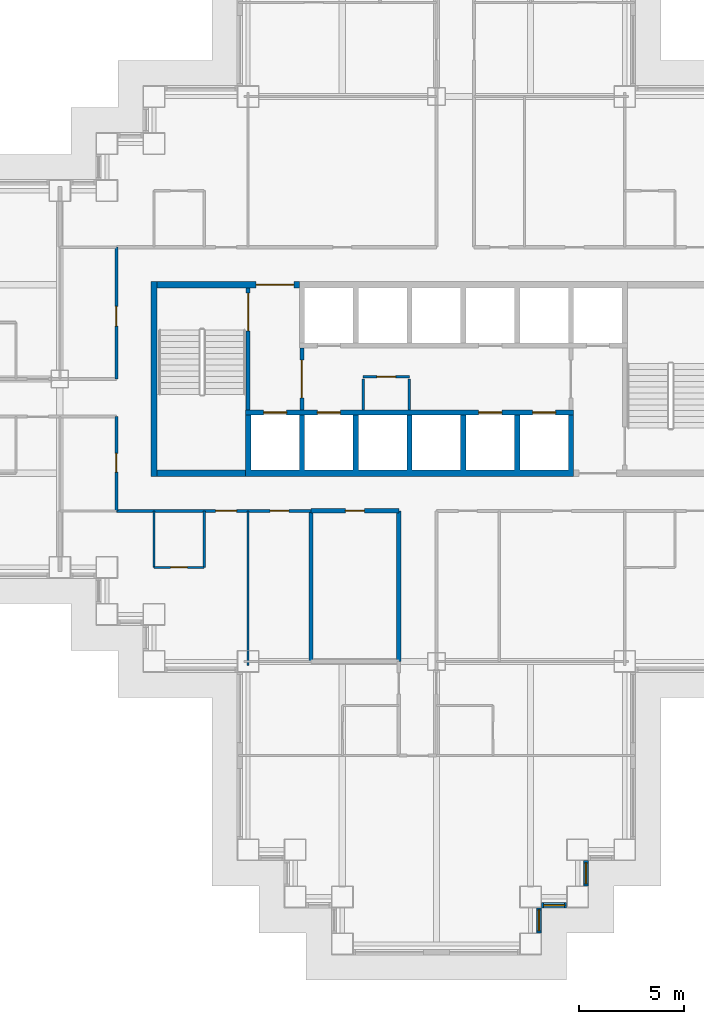
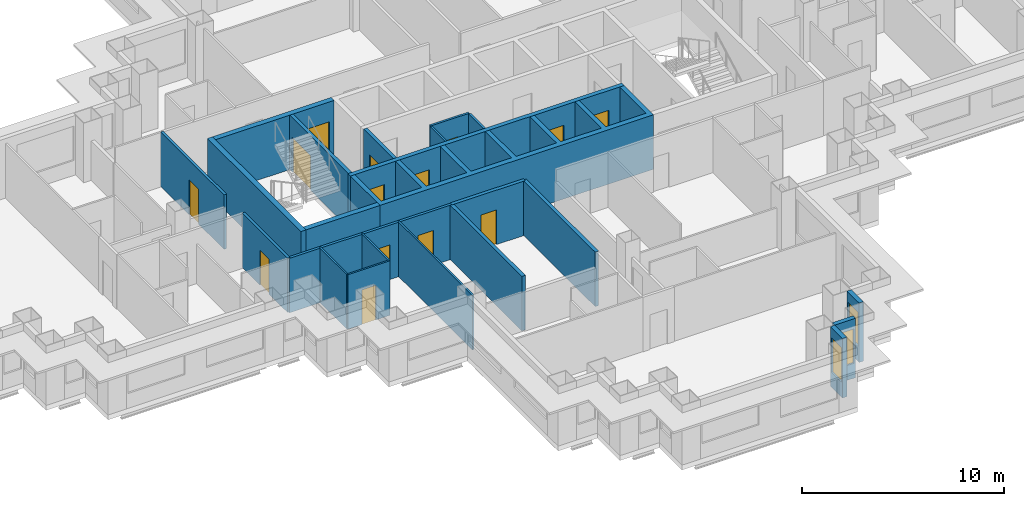
# One storey, part 4 of 14: 23 walls, 14 doors, 3 windows, 17 openings.
"""IFC4 building model written with IfcOpenShell, lengths in metres."""

from ifc_helpers import new_model, si_unit, direction, frame, frame_2d, origin, place, context, subcontext, project, spatial, polyline, rectangle, outline, extrude, material, layer, layer_set, type_object, element, fill, save


model = new_model("IFC4")

# Units and contexts
model_context = context("Model", 3, precision=1e-05, world=origin(), true_north=direction((0.0, 1.0)))
body_context = subcontext(model_context, "Body", "Model", "MODEL_VIEW")
ifc_project = project(units=[si_unit("LENGTHUNIT", "METRE"), si_unit("AREAUNIT", "SQUARE_METRE"), si_unit("VOLUMEUNIT", "CUBIC_METRE"), si_unit("PLANEANGLEUNIT", "RADIAN"), si_unit("MASSUNIT", "GRAM", prefix="KILO")], contexts=[model_context])

# Site, building, storey
site_placement = place(None, origin())
site = spatial("IfcSite", under=ifc_project, at=site_placement, CompositionType="ELEMENT")
building_placement = place(site_placement, origin())
building = spatial("IfcBuilding", under=site, at=building_placement, Name="Caravel Reach Hotel and Residences", CompositionType="ELEMENT")
storey_placement = place(building_placement, frame((0.0, 0.0, 40.800048828125)))
storey = spatial("IfcBuildingStorey", under=building, at=storey_placement, Name="L08", CompositionType="ELEMENT", Elevation=40.800048828125)

# Wall, opening, door
ifc_material_1 = material(Name="Gypsum board on steel stud", Category="steel")
ifc_layer_1 = layer(ifc_material_1, 0.10009765625)
ifc_layer_set_1 = layer_set([ifc_layer_1], Name="Bathroom pod wall 100 mm")
wall_type_1 = type_object("IfcWallType", Name="Bathroom pod wall 100 mm", PredefinedType="PARTITIONING", material=ifc_layer_set_1)
wall_1_placement = place(storey_placement, frame((18.0, 18.0, 0.0), z_axis=(0.0, 0.0, 1.0), x_axis=(1.0, 0.0, 0.0)))
wall_1 = element("IfcWall", 1, at=wall_1_placement, inside=storey, type_object=wall_type_1, Name="L08 wall w076", PredefinedType="PARTITIONING", context=body_context, shape_type="SweptSolid", body=[
    extrude(rectangle(XDim=2.39990234375, YDim=0.10009765625, at=frame_2d((1.199951171875, 0.0))), origin(), (0.0, 0.0, 1.0), 3.300048828125),
])
opening_1_placement = place(wall_1_placement, frame((0.800048828125, 0.0, 0.0)))
opening_1 = element("IfcOpeningElement", 2, at=opening_1_placement, cuts=wall_1, Name="Opening D08-046", PredefinedType="OPENING", context=body_context, shape_type="SweptSolid", body=[
    extrude(rectangle(XDim=0.800048828125, YDim=2.10009765625, at=frame_2d((0.39990234375, 1.050048828125))), frame((0.0, 0.06005859375, 0.0), z_axis=(0.0, -1.0, 0.0), x_axis=(1.0, 0.0, 0.0)), (0.0, 0.0, 1.0), 0.1201171875),
])
ifc_material_2 = material(Name="Timber and steel door leaf", Category="steel")
door_type_1 = type_object("IfcDoorType", Name="Bathroom door 800 x 2100", OperationType="SINGLE_SWING_LEFT", PredefinedType="DOOR", material=ifc_material_2)
door_1_placement = place(opening_1_placement, origin())
door_1 = element("IfcDoor", 3, at=door_1_placement, inside=storey, type_object=door_type_1, Name="door D08-046", OperationType="SINGLE_SWING_RIGHT", OverallHeight=2.10009765625, OverallWidth=0.800048828125, PredefinedType="DOOR", context=body_context, shape_type="SweptSolid", body=[
    extrude(rectangle(XDim=0.800048828125, YDim=2.10009765625, at=frame_2d((0.39990234375, 1.050048828125))), frame((0.0, 0.02490234375, 0.0), z_axis=(0.0, -1.0, 0.0), x_axis=(1.0, 0.0, 0.0)), (0.0, 0.0, 1.0), 0.050048828125),
])
fill(opening_1, door_1)

# Walls
for number, where, z_axis, x_axis, name in (
    (4, (18.0, 18.0, 0.0), (0.0, 0.0, 1.0), (0.0, 1.0, 0.0), "L08 wall w092"),
    (5, (20.39990234375, 18.0, 0.0), (0.0, 0.0, 1.0), (0.0, 1.0, 0.0), "L08 wall w094"),
):
    element("IfcWall", number, at=place(storey_placement, frame(where, z_axis=z_axis, x_axis=x_axis)), inside=storey, type_object=wall_type_1, Name=name, PredefinedType="PARTITIONING", context=body_context, shape_type="SweptSolid", body=[
        extrude(rectangle(XDim=2.699951171875, YDim=0.10009765625, at=frame_2d((1.35009765625, 0.0))), origin(), (0.0, 0.0, 1.0), 3.300048828125),
    ])

# Wall, opening, door
ifc_material_3 = material(Name="Autoclaved aerated block wall")
ifc_layer_2 = layer(ifc_material_3, 0.199951171875)
ifc_layer_set_2 = layer_set([ifc_layer_2], Name="Compartment wall 200 mm EI 120")
wall_type_2 = type_object("IfcWallType", Name="Compartment wall 200 mm EI 120", PredefinedType="PARTITIONING", material=ifc_layer_set_2)
wall_2_placement = place(storey_placement, frame((25.5, 20.699951171875, 0.0), z_axis=(0.0, 0.0, 1.0), x_axis=(1.0, 0.0, 0.0)))
wall_2 = element("IfcWall", 6, at=wall_2_placement, inside=storey, type_object=wall_type_2, Name="L08 wall w106", PredefinedType="PARTITIONING", context=body_context, shape_type="SweptSolid", body=[
    extrude(rectangle(XDim=4.199951171875, YDim=0.199951171875, at=frame_2d((2.10009765625, 0.0))), origin(), (0.0, 0.0, 1.0), 3.300048828125),
])
opening_2_placement = place(wall_2_placement, frame((1.64990234375, 0.0, 0.0)))
opening_2 = element("IfcOpeningElement", 7, at=opening_2_placement, cuts=wall_2, Name="Opening D08-053", PredefinedType="OPENING", context=body_context, shape_type="SweptSolid", body=[
    extrude(rectangle(XDim=0.89990234375, YDim=2.10009765625, at=frame_2d((0.449951171875, 1.050048828125))), frame((0.0, 0.10986328125, 0.0), z_axis=(0.0, -1.0, 0.0), x_axis=(1.0, 0.0, 0.0)), (0.0, 0.0, 1.0), 0.219970703125),
])
ifc_material_4 = material(Name="Steel fire door leaf", Category="steel")
door_type_2 = type_object("IfcDoorType", Name="Riser door 900 x 2100 EI 60", OperationType="SINGLE_SWING_LEFT", PredefinedType="DOOR", material=ifc_material_4)
door_2_placement = place(opening_2_placement, origin())
door_2 = element("IfcDoor", 8, at=door_2_placement, inside=storey, type_object=door_type_2, Name="door D08-053", OperationType="SINGLE_SWING_RIGHT", OverallHeight=2.10009765625, OverallWidth=0.89990234375, PredefinedType="DOOR", context=body_context, shape_type="SweptSolid", body=[
    extrude(rectangle(XDim=0.89990234375, YDim=2.10009765625, at=frame_2d((0.449951171875, 1.050048828125))), frame((0.0, 0.02490234375, 0.0), z_axis=(0.0, -1.0, 0.0), x_axis=(1.0, 0.0, 0.0)), (0.0, 0.0, 1.0), 0.050048828125),
])
fill(opening_2, door_2)

# Walls
for number, where, z_axis, x_axis, name in (
    (9, (25.5, 13.5, 0.0), (0.0, 0.0, 1.0), (0.0, 1.0, 0.0), "L08 wall w107"),
    (10, (29.699951171875, 13.5, 0.0), (0.0, 0.0, 1.0), (0.0, 1.0, 0.0), "L08 wall w108"),
):
    element("IfcWall", number, at=place(storey_placement, frame(where, z_axis=z_axis, x_axis=x_axis)), inside=storey, type_object=wall_type_2, Name=name, PredefinedType="PARTITIONING", context=body_context, shape_type="SweptSolid", body=[
        extrude(rectangle(XDim=7.199951171875, YDim=0.199951171875, at=frame_2d((3.60009765625, 0.0))), origin(), (0.0, 0.0, 1.0), 3.300048828125),
    ])
ifc_material_5 = material(Name="Concrete C60", Category="concrete")
ifc_layer_3 = layer(ifc_material_5, 0.300048828125)
ifc_layer_set_3 = layer_set([ifc_layer_3], Name="Core wall 300 mm EI 120")
wall_type_3 = type_object("IfcWallType", Name="Core wall 300 mm EI 120", PredefinedType="SHEAR", material=ifc_layer_set_3)
wall_3_placement = place(storey_placement, frame((18.14990234375, 22.5, 0.0), z_axis=(0.0, 0.0, 1.0), x_axis=(1.0, 0.0, 0.0)))
element("IfcWall", 11, at=wall_3_placement, inside=storey, type_object=wall_type_3, Name="L08 core wall S1", PredefinedType="SHEAR", context=body_context, shape_type="SweptSolid", body=[
    extrude(rectangle(XDim=4.22509765625, YDim=0.300048828125, at=frame_2d((2.112548828125, 0.0))), origin(), (0.0, 0.0, 1.0), 3.300048828125),
])

# Wall, opening, door
wall_4_placement = place(storey_placement, frame((18.14990234375, 31.5, 0.0), z_axis=(0.0, 0.0, 1.0), x_axis=(1.0, 0.0, 0.0)))
wall_4 = element("IfcWall", 12, at=wall_4_placement, inside=storey, type_object=wall_type_3, Name="L08 core wall N1", PredefinedType="SHEAR", context=body_context, shape_type="SweptSolid", body=[
    extrude(rectangle(XDim=6.796630859375, YDim=0.300048828125, at=frame_2d((3.3984375, 0.0))), origin(), (0.0, 0.0, 1.0), 3.300048828125),
])
opening_3_placement = place(wall_4_placement, frame((4.735595703125, 0.0, 0.0)))
opening_3 = element("IfcOpeningElement", 13, at=opening_3_placement, cuts=wall_4, Name="Opening D08-013", PredefinedType="OPENING", context=body_context, shape_type="SweptSolid", body=[
    extrude(rectangle(XDim=1.800048828125, YDim=2.10009765625, at=frame_2d((0.89990234375, 1.050048828125))), frame((0.0, 0.159912109375, 0.0), z_axis=(0.0, -1.0, 0.0), x_axis=(1.0, 0.0, 0.0)), (0.0, 0.0, 1.0), 0.320068359375),
])
ifc_material_6 = material(Name="Steel fire door leaf", Category="steel")
door_type_3 = type_object("IfcDoorType", Name="Fire lobby door pair 1800 x 2100 EI 90", OperationType="DOUBLE_DOOR_SINGLE_SWING", PredefinedType="DOOR", material=ifc_material_6)
door_3_placement = place(opening_3_placement, origin())
door_3 = element("IfcDoor", 14, at=door_3_placement, inside=storey, type_object=door_type_3, Name="lobby N door pair to corridor", OperationType="DOUBLE_DOOR_SINGLE_SWING", OverallHeight=2.10009765625, OverallWidth=1.800048828125, PredefinedType="DOOR", context=body_context, shape_type="SweptSolid", body=[
    extrude(rectangle(XDim=1.800048828125, YDim=2.10009765625, at=frame_2d((0.89990234375, 1.050048828125))), frame((0.0, 0.02490234375, 0.0), z_axis=(0.0, -1.0, 0.0), x_axis=(1.0, 0.0, 0.0)), (0.0, 0.0, 1.0), 0.050048828125),
])
fill(opening_3, door_3)

# Wall
wall_5_placement = place(storey_placement, frame((18.0, 22.35009765625, 0.0), z_axis=(0.0, 0.0, 1.0), x_axis=(0.0, 1.0, 0.0)))
element("IfcWall", 15, at=wall_5_placement, inside=storey, type_object=wall_type_3, Name="L08 core wall W", PredefinedType="SHEAR", context=body_context, shape_type="SweptSolid", body=[
    extrude(rectangle(XDim=9.2998046875, YDim=0.300048828125, at=frame_2d((4.64990234375, 0.0))), origin(), (0.0, 0.0, 1.0), 3.300048828125),
])

# Wall, openings, doors
ifc_material_7 = material(Name="Gypsum board on steel stud, fire-rated", Category="steel")
ifc_layer_4 = layer(ifc_material_7, 0.14990234375)
ifc_layer_set_4 = layer_set([ifc_layer_4], Name="Corridor wall 150 mm EI 60")
wall_type_4 = type_object("IfcWallType", Name="Corridor wall 150 mm EI 60", PredefinedType="PARTITIONING", material=ifc_layer_set_4)
wall_6_placement = place(storey_placement, frame((16.199951171875, 20.699951171875, 0.0), z_axis=(0.0, 0.0, 1.0), x_axis=(1.0, 0.0, 0.0)))
wall_6 = element("IfcWall", 16, at=wall_6_placement, inside=storey, type_object=wall_type_4, Name="L08 wall w001", PredefinedType="PARTITIONING", context=body_context, shape_type="SweptSolid", body=[
    extrude(rectangle(XDim=9.300048828125, YDim=0.14990234375, at=frame_2d((4.64990234375, 0.0))), origin(), (0.0, 0.0, 1.0), 3.300048828125),
])
opening_4_placement = place(wall_6_placement, frame((4.75, 0.0, 0.0)))
opening_4 = element("IfcOpeningElement", 17, at=opening_4_placement, cuts=wall_6, Name="Opening D08-045", PredefinedType="OPENING", context=body_context, shape_type="SweptSolid", body=[
    extrude(rectangle(XDim=1.0, YDim=2.10009765625, at=frame_2d((0.5, 1.050048828125))), frame((0.0, 0.0849609375, 0.0), z_axis=(0.0, -1.0, 0.0), x_axis=(1.0, 0.0, 0.0)), (0.0, 0.0, 1.0), 0.169921875),
])
opening_5_placement = place(wall_6_placement, frame((7.35009765625, 0.0, 0.0)))
opening_5 = element("IfcOpeningElement", 18, at=opening_5_placement, cuts=wall_6, Name="Opening D08-052", PredefinedType="OPENING", context=body_context, shape_type="SweptSolid", body=[
    extrude(rectangle(XDim=0.89990234375, YDim=2.10009765625, at=frame_2d((0.449951171875, 1.050048828125))), frame((0.0, 0.0849609375, 0.0), z_axis=(0.0, -1.0, 0.0), x_axis=(1.0, 0.0, 0.0)), (0.0, 0.0, 1.0), 0.169921875),
])
ifc_material_8 = material(Name="Timber and steel door leaf", Category="steel")
door_type_4 = type_object("IfcDoorType", Name="Door 900 x 2100 timber", OperationType="SINGLE_SWING_LEFT", PredefinedType="DOOR", material=ifc_material_8)
door_4_placement = place(opening_5_placement, origin())
door_4 = element("IfcDoor", 19, at=door_4_placement, inside=storey, type_object=door_type_4, Name="door D08-052", OperationType="SINGLE_SWING_LEFT", OverallHeight=2.10009765625, OverallWidth=0.89990234375, PredefinedType="DOOR", context=body_context, shape_type="SweptSolid", body=[
    extrude(rectangle(XDim=0.89990234375, YDim=2.10009765625, at=frame_2d((0.449951171875, 1.050048828125))), frame((0.0, 0.02490234375, 0.0), z_axis=(0.0, -1.0, 0.0), x_axis=(1.0, 0.0, 0.0)), (0.0, 0.0, 1.0), 0.050048828125),
])
fill(opening_5, door_4)
ifc_material_9 = material(Name="Steel fire door leaf", Category="steel")
door_type_5 = type_object("IfcDoorType", Name="Guest room door 1000 x 2100 EI 30", OperationType="SINGLE_SWING_LEFT", PredefinedType="DOOR", material=ifc_material_9)
door_5_placement = place(opening_4_placement, origin())
door_5 = element("IfcDoor", 20, at=door_5_placement, inside=storey, type_object=door_type_5, Name="door D08-045", OperationType="SINGLE_SWING_RIGHT", OverallHeight=2.10009765625, OverallWidth=1.0, PredefinedType="DOOR", context=body_context, shape_type="SweptSolid", body=[
    extrude(rectangle(XDim=1.0, YDim=2.10009765625, at=frame_2d((0.5, 1.050048828125))), frame((0.0, 0.02490234375, 0.0), z_axis=(0.0, -1.0, 0.0), x_axis=(1.0, 0.0, 0.0)), (0.0, 0.0, 1.0), 0.050048828125),
])
fill(opening_4, door_5)

# Wall, opening, door
wall_7_placement = place(storey_placement, frame((16.199951171875, 27.0, 0.0), z_axis=(0.0, 0.0, 1.0), x_axis=(0.0, 1.0, 0.0)))
wall_7 = element("IfcWall", 21, at=wall_7_placement, inside=storey, type_object=wall_type_4, Name="L08 wall w023", PredefinedType="PARTITIONING", context=body_context, shape_type="SweptSolid", body=[
    extrude(rectangle(XDim=6.300048828125, YDim=0.14990234375, at=frame_2d((3.14990234375, 0.0))), origin(), (0.0, 0.0, 1.0), 3.300048828125),
])
opening_6_placement = place(wall_7_placement, frame((2.52490234375, 0.0, 0.0)))
opening_6 = element("IfcOpeningElement", 22, at=opening_6_placement, cuts=wall_7, Name="Opening D08-057", PredefinedType="OPENING", context=body_context, shape_type="SweptSolid", body=[
    extrude(rectangle(XDim=0.949951171875, YDim=2.10009765625, at=frame_2d((0.47509765625, 1.050048828125))), frame((0.0, 0.0849609375, 0.0), z_axis=(0.0, -1.0, 0.0), x_axis=(1.0, 0.0, 0.0)), (0.0, 0.0, 1.0), 0.169921875),
])
ifc_material_10 = material(Name="Timber and steel door leaf", Category="steel")
door_type_6 = type_object("IfcDoorType", Name="Accessible WC door 950 x 2100", OperationType="SINGLE_SWING_LEFT", PredefinedType="DOOR", material=ifc_material_10)
door_6_placement = place(opening_6_placement, origin())
door_6 = element("IfcDoor", 23, at=door_6_placement, inside=storey, type_object=door_type_6, Name="door D08-057", OperationType="SINGLE_SWING_LEFT", OverallHeight=2.10009765625, OverallWidth=0.949951171875, PredefinedType="DOOR", context=body_context, shape_type="SweptSolid", body=[
    extrude(rectangle(XDim=0.949951171875, YDim=2.10009765625, at=frame_2d((0.47509765625, 1.050048828125))), frame((0.0, 0.02490234375, 0.0), z_axis=(0.0, -1.0, 0.0), x_axis=(1.0, 0.0, 0.0)), (0.0, 0.0, 1.0), 0.050048828125),
])
fill(opening_6, door_6)

wall_8_placement = place(storey_placement, frame((16.199951171875, 20.699951171875, 0.0), z_axis=(0.0, 0.0, 1.0), x_axis=(0.0, 1.0, 0.0)))
wall_8 = element("IfcWall", 24, at=wall_8_placement, inside=storey, type_object=wall_type_4, Name="L08 wall w024", PredefinedType="PARTITIONING", context=body_context, shape_type="SweptSolid", body=[
    extrude(rectangle(XDim=4.5, YDim=0.14990234375, at=frame_2d((2.25, 0.0))), origin(), (0.0, 0.0, 1.0), 3.300048828125),
])
opening_7_placement = place(wall_8_placement, frame((1.85009765625, 0.0, 0.0)))
opening_7 = element("IfcOpeningElement", 25, at=opening_7_placement, cuts=wall_8, Name="Opening D08-056", PredefinedType="OPENING", context=body_context, shape_type="SweptSolid", body=[
    extrude(rectangle(XDim=0.89990234375, YDim=2.10009765625, at=frame_2d((0.449951171875, 1.050048828125))), frame((0.0, 0.0849609375, 0.0), z_axis=(0.0, -1.0, 0.0), x_axis=(1.0, 0.0, 0.0)), (0.0, 0.0, 1.0), 0.169921875),
])
door_7_placement = place(opening_7_placement, origin())
door_7 = element("IfcDoor", 26, at=door_7_placement, inside=storey, type_object=door_type_4, Name="door D08-056", OperationType="SINGLE_SWING_LEFT", OverallHeight=2.10009765625, OverallWidth=0.89990234375, PredefinedType="DOOR", context=body_context, shape_type="SweptSolid", body=[
    extrude(rectangle(XDim=0.89990234375, YDim=2.10009765625, at=frame_2d((0.449951171875, 1.050048828125))), frame((0.0, 0.02490234375, 0.0), z_axis=(0.0, -1.0, 0.0), x_axis=(1.0, 0.0, 0.0)), (0.0, 0.0, 1.0), 0.050048828125),
])
fill(opening_7, door_7)

# Wall, opening, window
ifc_material_11 = material(Name="Insulated rainscreen wall, aluminium cladding", Category="aluminium")
ifc_layer_5 = layer(ifc_material_11, 0.25)
ifc_layer_set_5 = layer_set([ifc_layer_5], Name="EW1 Tower rainscreen wall")
wall_type_5 = type_object("IfcWallType", Name="EW1 Tower rainscreen wall", PredefinedType="SOLIDWALL", material=ifc_layer_set_5)
wall_9_placement = place(storey_placement, frame((36.39990234375, 0.52490234375, 0.0), z_axis=(0.0, 0.0, 1.0), x_axis=(0.0, 1.0, 0.0)))
wall_9 = element("IfcWall", 27, at=wall_9_placement, inside=storey, type_object=wall_type_5, Name="External wall L08 E6.1", PredefinedType="SOLIDWALL", context=body_context, shape_type="SweptSolid", body=[
    extrude(rectangle(XDim=1.2001953125, YDim=0.25, at=frame_2d((0.60009765625, 0.0))), origin(), (0.0, 0.0, 1.0), 3.599853515625),
])
opening_8_placement = place(wall_9_placement, frame((0.10009765625, 0.0, 0.89990234375)))
opening_8 = element("IfcOpeningElement", 28, at=opening_8_placement, cuts=wall_9, Name="Opening WN1", PredefinedType="OPENING", context=body_context, shape_type="SweptSolid", body=[
    extrude(rectangle(XDim=1.0, YDim=2.080078125, at=frame_2d((0.5, 1.0400390625))), frame((0.0, 0.135009765625, 0.0), z_axis=(0.0, -1.0, 0.0), x_axis=(1.0, 0.0, 0.0)), (0.0, 0.0, 1.0), 0.27001953125),
])
ifc_material_12 = material(Name="Dark low-e glazing in black aluminium frame", Category="aluminium")
window_type = type_object("IfcWindowType", Name="Hotel suite corner window 1000 x 2080", PartitioningType="SINGLE_PANEL", PredefinedType="WINDOW", material=ifc_material_12)
window_1_placement = place(opening_8_placement, origin())
window_1 = element("IfcWindow", 29, at=window_1_placement, inside=storey, type_object=window_type, Name="Window L08 E6.1.1", OverallHeight=2.080078125, OverallWidth=1.0, PartitioningType="SINGLE_PANEL", PredefinedType="WINDOW", context=body_context, shape_type="SweptSolid", body=[
    extrude(rectangle(XDim=1.0, YDim=2.080078125, at=frame_2d((0.5, 1.0400390625))), frame((0.0, 0.030029296875, 0.0), z_axis=(0.0, -1.0, 0.0), x_axis=(1.0, 0.0, 0.0)), (0.0, 0.0, 1.0), 0.06005859375),
])
fill(opening_8, window_1)

wall_10_placement = place(storey_placement, frame((36.52490234375, 1.85009765625, 0.0), z_axis=(0.0, 0.0, 1.0), x_axis=(1.0, 0.0, 0.0)))
wall_10 = element("IfcWall", 30, at=wall_10_placement, inside=storey, type_object=wall_type_5, Name="External wall L08 S7.1", PredefinedType="SOLIDWALL", context=body_context, shape_type="SweptSolid", body=[
    extrude(rectangle(XDim=1.2001953125, YDim=0.25, at=frame_2d((0.60009765625, 0.0))), origin(), (0.0, 0.0, 1.0), 3.599853515625),
])
opening_9_placement = place(wall_10_placement, frame((0.10009765625, 0.0, 0.89990234375)))
opening_9 = element("IfcOpeningElement", 31, at=opening_9_placement, cuts=wall_10, Name="Opening WN1", PredefinedType="OPENING", context=body_context, shape_type="SweptSolid", body=[
    extrude(rectangle(XDim=1.0, YDim=2.080078125, at=frame_2d((0.5, 1.0400390625))), frame((0.0, 0.135009765625, 0.0), z_axis=(0.0, -1.0, 0.0), x_axis=(1.0, 0.0, 0.0)), (0.0, 0.0, 1.0), 0.27001953125),
])
window_2_placement = place(opening_9_placement, origin())
window_2 = element("IfcWindow", 32, at=window_2_placement, inside=storey, type_object=window_type, Name="Window L08 S7.1.1", OverallHeight=2.080078125, OverallWidth=1.0, PartitioningType="SINGLE_PANEL", PredefinedType="WINDOW", context=body_context, shape_type="SweptSolid", body=[
    extrude(rectangle(XDim=1.0, YDim=2.080078125, at=frame_2d((0.5, 1.0400390625))), frame((0.0, 0.030029296875, 0.0), z_axis=(0.0, -1.0, 0.0), x_axis=(1.0, 0.0, 0.0)), (0.0, 0.0, 1.0), 0.06005859375),
])
fill(opening_9, window_2)

wall_11_placement = place(storey_placement, frame((38.64990234375, 2.77490234375, 0.0), z_axis=(0.0, 0.0, 1.0), x_axis=(0.0, 1.0, 0.0)))
wall_11 = element("IfcWall", 33, at=wall_11_placement, inside=storey, type_object=wall_type_5, Name="External wall L08 E8.1", PredefinedType="SOLIDWALL", context=body_context, shape_type="SweptSolid", body=[
    extrude(rectangle(XDim=1.2001953125, YDim=0.25, at=frame_2d((0.60009765625, 0.0))), origin(), (0.0, 0.0, 1.0), 3.599853515625),
])
opening_10_placement = place(wall_11_placement, frame((0.10009765625, 0.0, 0.89990234375)))
opening_10 = element("IfcOpeningElement", 34, at=opening_10_placement, cuts=wall_11, Name="Opening WN1", PredefinedType="OPENING", context=body_context, shape_type="SweptSolid", body=[
    extrude(rectangle(XDim=1.0, YDim=2.080078125, at=frame_2d((0.5, 1.0400390625))), frame((0.0, 0.135009765625, 0.0), z_axis=(0.0, -1.0, 0.0), x_axis=(1.0, 0.0, 0.0)), (0.0, 0.0, 1.0), 0.27001953125),
])
window_3_placement = place(opening_10_placement, origin())
window_3 = element("IfcWindow", 35, at=window_3_placement, inside=storey, type_object=window_type, Name="Window L08 E8.1.1", OverallHeight=2.080078125, OverallWidth=1.0, PartitioningType="SINGLE_PANEL", PredefinedType="WINDOW", context=body_context, shape_type="SweptSolid", body=[
    extrude(rectangle(XDim=1.0, YDim=2.080078125, at=frame_2d((0.5, 1.0400390625))), frame((0.0, 0.030029296875, 0.0), z_axis=(0.0, -1.0, 0.0), x_axis=(1.0, 0.0, 0.0)), (0.0, 0.0, 1.0), 0.06005859375),
])
fill(opening_10, window_3)

# Wall, opening, door
ifc_material_13 = material(Name="Autoclaved aerated block wall")
ifc_layer_6 = layer(ifc_material_13, 0.199951171875)
ifc_layer_set_6 = layer_set([ifc_layer_6], Name="Fire lobby wall 200 mm EI 120")
wall_type_6 = type_object("IfcWallType", Name="Fire lobby wall 200 mm EI 120", PredefinedType="PARTITIONING", material=ifc_layer_set_6)
wall_12_placement = place(storey_placement, frame((25.071533203125, 25.52490234375, 0.0), z_axis=(0.0, 0.0, 1.0), x_axis=(0.0, 1.0, 0.0)))
wall_12 = element("IfcWall", 36, at=wall_12_placement, inside=storey, type_object=wall_type_6, Name="L08 lobby W wall", PredefinedType="PARTITIONING", context=body_context, shape_type="SweptSolid", body=[
    extrude(rectangle(XDim=2.9501953125, YDim=0.199951171875, at=frame_2d((1.47509765625, 0.0))), origin(), (0.0, 0.0, 1.0), 3.300048828125),
])
opening_11_placement = place(wall_12_placement, frame((0.574951171875, 0.0, 0.0)))
opening_11 = element("IfcOpeningElement", 37, at=opening_11_placement, cuts=wall_12, Name="Opening D08-011", PredefinedType="OPENING", context=body_context, shape_type="SweptSolid", body=[
    extrude(rectangle(XDim=1.800048828125, YDim=2.10009765625, at=frame_2d((0.89990234375, 1.050048828125))), frame((0.0, 0.10986328125, 0.0), z_axis=(0.0, -1.0, 0.0), x_axis=(1.0, 0.0, 0.0)), (0.0, 0.0, 1.0), 0.219970703125),
])
door_8_placement = place(opening_11_placement, origin())
door_8 = element("IfcDoor", 38, at=door_8_placement, inside=storey, type_object=door_type_3, Name="lobby W door pair", OperationType="DOUBLE_DOOR_SINGLE_SWING", OverallHeight=2.10009765625, OverallWidth=1.800048828125, PredefinedType="DOOR", context=body_context, shape_type="SweptSolid", body=[
    extrude(rectangle(XDim=1.800048828125, YDim=2.10009765625, at=frame_2d((0.89990234375, 1.050048828125))), frame((0.0, 0.02490234375, 0.0), z_axis=(0.0, -1.0, 0.0), x_axis=(1.0, 0.0, 0.0)), (0.0, 0.0, 1.0), 0.050048828125),
])
fill(opening_11, door_8)

# Wall
ifc_material_14 = material(Name="Gypsum board on steel stud", Category="steel")
ifc_layer_7 = layer(ifc_material_14, 0.10009765625)
ifc_layer_set_7 = layer_set([ifc_layer_7], Name="Partition 100 mm")
wall_type_7 = type_object("IfcWallType", Name="Partition 100 mm", PredefinedType="PARTITIONING", material=ifc_layer_set_7)
wall_13_placement = place(storey_placement, frame((22.5, 13.31005859375, 0.0), z_axis=(0.0, 0.0, 1.0), x_axis=(0.0, 1.0, 0.0)))
element("IfcWall", 39, at=wall_13_placement, inside=storey, type_object=wall_type_7, Name="L08 wall w057", PredefinedType="PARTITIONING", context=body_context, shape_type="SweptSolid", body=[
    extrude(rectangle(XDim=7.389892578125, YDim=0.10009765625, at=frame_2d((3.69482421875, 0.0))), origin(), (0.0, 0.0, 1.0), 3.300048828125),
])

# Wall, opening, door
ifc_material_15 = material(Name="Autoclaved aerated block wall")
ifc_layer_8 = layer(ifc_material_15, 0.125)
ifc_layer_set_8 = layer_set([ifc_layer_8], Name="Riser wall 125 mm EI 60")
wall_type_8 = type_object("IfcWallType", Name="Riser wall 125 mm EI 60", PredefinedType="PARTITIONING", material=ifc_layer_set_8)
wall_14_placement = place(storey_placement, frame((28.0, 27.10009765625, 0.0), z_axis=(0.0, 0.0, 1.0), x_axis=(1.0, 0.0, 0.0)))
wall_14 = element("IfcWall", 40, at=wall_14_placement, inside=storey, type_object=wall_type_8, Name="L08 service room wall S1", PredefinedType="PARTITIONING", context=body_context, shape_type="SweptSolid", body=[
    extrude(rectangle(XDim=2.199951171875, YDim=0.125, at=frame_2d((1.10009765625, 0.0))), origin(), (0.0, 0.0, 1.0), 3.300048828125),
])
opening_12_placement = place(wall_14_placement, frame((0.64990234375, 0.0, 0.0)))
opening_12 = element("IfcOpeningElement", 41, at=opening_12_placement, cuts=wall_14, Name="Opening D08-008", PredefinedType="OPENING", context=body_context, shape_type="SweptSolid", body=[
    extrude(rectangle(XDim=0.89990234375, YDim=2.10009765625, at=frame_2d((0.449951171875, 1.050048828125))), frame((0.0, 0.072509765625, 0.0), z_axis=(0.0, -1.0, 0.0), x_axis=(1.0, 0.0, 0.0)), (0.0, 0.0, 1.0), 0.14501953125),
])
door_9_placement = place(opening_12_placement, origin())
door_9 = element("IfcDoor", 42, at=door_9_placement, inside=storey, type_object=door_type_2, Name="Housekeeping room door", OperationType="SINGLE_SWING_LEFT", OverallHeight=2.10009765625, OverallWidth=0.89990234375, PredefinedType="DOOR", context=body_context, shape_type="SweptSolid", body=[
    extrude(rectangle(XDim=0.89990234375, YDim=2.10009765625, at=frame_2d((0.449951171875, 1.050048828125))), frame((0.0, 0.02490234375, 0.0), z_axis=(0.0, -1.0, 0.0), x_axis=(1.0, 0.0, 0.0)), (0.0, 0.0, 1.0), 0.050048828125),
])
fill(opening_12, door_9)

# Walls
for number, where, z_axis, x_axis, name in (
    (43, (28.0, 25.52490234375, 0.0), (0.0, 0.0, 1.0), (0.0, 1.0, 0.0), "L08 service room partition S1"),
    (44, (30.199951171875, 25.52490234375, 0.0), (0.0, 0.0, 1.0), (0.0, 1.0, 0.0), "L08 service room partition S1"),
):
    element("IfcWall", number, at=place(storey_placement, frame(where, z_axis=z_axis, x_axis=x_axis)), inside=storey, type_object=wall_type_8, Name=name, PredefinedType="PARTITIONING", context=body_context, shape_type="SweptSolid", body=[
        extrude(rectangle(XDim=1.47509765625, YDim=0.125, at=frame_2d((0.737548828125, 0.0))), origin(), (0.0, 0.0, 1.0), 3.300048828125),
    ])
ifc_material_16 = material(Name="Concrete C60", Category="concrete")
ifc_layer_9 = layer(ifc_material_16, 0.25)
ifc_layer_set_9 = layer_set([ifc_layer_9], Name="Shaft wall 250 mm EI 120")
wall_type_9 = type_object("IfcWallType", Name="Shaft wall 250 mm EI 120", PredefinedType="SHEAR", material=ifc_layer_set_9)
wall_15_placement = place(storey_placement, origin())
element("IfcWall", 45, at=wall_15_placement, inside=storey, type_object=wall_type_9, Name="L08 lift shaft wall S1", PredefinedType="SHEAR", context=body_context, shape_type="SweptSolid", body=[
    extrude(outline(polyline([(22.375, 22.35009765625), (38.053466796875, 22.35009765625), (38.053466796875, 25.27490234375), (37.803466796875, 25.27490234375), (37.803466796875, 22.64990234375), (35.482177734375, 22.64990234375), (35.482177734375, 25.27490234375), (35.232177734375, 25.27490234375), (35.232177734375, 22.64990234375), (32.91064453125, 22.64990234375), (32.91064453125, 25.27490234375), (32.66064453125, 25.27490234375), (32.66064453125, 22.64990234375), (30.33935546875, 22.64990234375), (30.33935546875, 25.27490234375), (30.08935546875, 25.27490234375), (30.08935546875, 22.64990234375), (27.767822265625, 22.64990234375), (27.767822265625, 25.27490234375), (27.517822265625, 25.27490234375), (27.517822265625, 22.64990234375), (25.196533203125, 22.64990234375), (25.196533203125, 25.27490234375), (24.946533203125, 25.27490234375), (24.946533203125, 22.64990234375), (22.625, 22.64990234375), (22.625, 25.27490234375), (22.375, 25.27490234375), (22.375, 22.35009765625)])), origin(), (0.0, 0.0, 1.0), 3.300048828125),
])

# Wall, openings, doors
wall_16_placement = place(storey_placement, frame((22.375, 25.39990234375, 0.0), z_axis=(0.0, 0.0, 1.0), x_axis=(1.0, 0.0, 0.0)))
wall_16 = element("IfcWall", 46, at=wall_16_placement, inside=storey, type_object=wall_type_9, Name="L08 lobby wall S1", PredefinedType="SHEAR", context=body_context, shape_type="SweptSolid", body=[
    extrude(rectangle(XDim=15.678466796875, YDim=0.25, at=frame_2d((7.83935546875, 0.0))), origin(), (0.0, 0.0, 1.0), 3.300048828125),
])
opening_13_placement = place(wall_16_placement, frame((3.43212890625, 0.0, 0.0)))
opening_13 = element("IfcOpeningElement", 47, at=opening_13_placement, cuts=wall_16, Name="Opening D08-001", PredefinedType="OPENING", context=body_context, shape_type="SweptSolid", body=[
    extrude(rectangle(XDim=1.10009765625, YDim=2.10009765625, at=frame_2d((0.550048828125, 1.050048828125))), frame((0.0, 0.135009765625, 0.0), z_axis=(0.0, -1.0, 0.0), x_axis=(1.0, 0.0, 0.0)), (0.0, 0.0, 1.0), 0.27001953125),
])
opening_14_placement = place(wall_16_placement, frame((11.146484375, 0.0, 0.0)))
opening_14 = element("IfcOpeningElement", 48, at=opening_14_placement, cuts=wall_16, Name="Opening D08-002", PredefinedType="OPENING", context=body_context, shape_type="SweptSolid", body=[
    extrude(rectangle(XDim=1.10009765625, YDim=2.10009765625, at=frame_2d((0.550048828125, 1.050048828125))), frame((0.0, 0.135009765625, 0.0), z_axis=(0.0, -1.0, 0.0), x_axis=(1.0, 0.0, 0.0)), (0.0, 0.0, 1.0), 0.27001953125),
])
opening_15_placement = place(wall_16_placement, frame((13.718017578125, 0.0, 0.0)))
opening_15 = element("IfcOpeningElement", 49, at=opening_15_placement, cuts=wall_16, Name="Opening D08-003", PredefinedType="OPENING", context=body_context, shape_type="SweptSolid", body=[
    extrude(rectangle(XDim=1.10009765625, YDim=2.10009765625, at=frame_2d((0.550048828125, 1.050048828125))), frame((0.0, 0.135009765625, 0.0), z_axis=(0.0, -1.0, 0.0), x_axis=(1.0, 0.0, 0.0)), (0.0, 0.0, 1.0), 0.27001953125),
])
opening_16_placement = place(wall_16_placement, frame((0.860595703125, 0.0, 0.0)))
opening_16 = element("IfcOpeningElement", 50, at=opening_16_placement, cuts=wall_16, Name="Opening D08-006", PredefinedType="OPENING", context=body_context, shape_type="SweptSolid", body=[
    extrude(rectangle(XDim=1.10009765625, YDim=2.10009765625, at=frame_2d((0.550048828125, 1.050048828125))), frame((0.0, 0.135009765625, 0.0), z_axis=(0.0, -1.0, 0.0), x_axis=(1.0, 0.0, 0.0)), (0.0, 0.0, 1.0), 0.27001953125),
])
ifc_material_17 = material(Name="Stainless steel landing door", Category="steel")
door_type_7 = type_object("IfcDoorType", Name="Landing door LD 1100 x 2100 sliding", OperationType="DOUBLE_DOOR_SLIDING", PredefinedType="DOOR", material=ifc_material_17)
door_10_placement = place(opening_13_placement, origin())
door_10 = element("IfcDoor", 51, at=door_10_placement, inside=storey, type_object=door_type_7, Name="LP1 landing door", OperationType="DOUBLE_DOOR_SLIDING", OverallHeight=2.10009765625, OverallWidth=1.10009765625, PredefinedType="DOOR", context=body_context, shape_type="SweptSolid", body=[
    extrude(rectangle(XDim=1.10009765625, YDim=2.10009765625, at=frame_2d((0.550048828125, 1.050048828125))), frame((0.0, 0.02490234375, 0.0), z_axis=(0.0, -1.0, 0.0), x_axis=(1.0, 0.0, 0.0)), (0.0, 0.0, 1.0), 0.050048828125),
])
fill(opening_13, door_10)
door_11_placement = place(opening_14_placement, origin())
door_11 = element("IfcDoor", 52, at=door_11_placement, inside=storey, type_object=door_type_7, Name="LP2 landing door", OperationType="DOUBLE_DOOR_SLIDING", OverallHeight=2.10009765625, OverallWidth=1.10009765625, PredefinedType="DOOR", context=body_context, shape_type="SweptSolid", body=[
    extrude(rectangle(XDim=1.10009765625, YDim=2.10009765625, at=frame_2d((0.550048828125, 1.050048828125))), frame((0.0, 0.02490234375, 0.0), z_axis=(0.0, -1.0, 0.0), x_axis=(1.0, 0.0, 0.0)), (0.0, 0.0, 1.0), 0.050048828125),
])
fill(opening_14, door_11)
door_12_placement = place(opening_15_placement, origin())
door_12 = element("IfcDoor", 53, at=door_12_placement, inside=storey, type_object=door_type_7, Name="LP3 landing door", OperationType="DOUBLE_DOOR_SLIDING", OverallHeight=2.10009765625, OverallWidth=1.10009765625, PredefinedType="DOOR", context=body_context, shape_type="SweptSolid", body=[
    extrude(rectangle(XDim=1.10009765625, YDim=2.10009765625, at=frame_2d((0.550048828125, 1.050048828125))), frame((0.0, 0.02490234375, 0.0), z_axis=(0.0, -1.0, 0.0), x_axis=(1.0, 0.0, 0.0)), (0.0, 0.0, 1.0), 0.050048828125),
])
fill(opening_15, door_12)
door_13_placement = place(opening_16_placement, origin())
door_13 = element("IfcDoor", 54, at=door_13_placement, inside=storey, type_object=door_type_7, Name="FL1 landing door", OperationType="DOUBLE_DOOR_SLIDING", OverallHeight=2.10009765625, OverallWidth=1.10009765625, PredefinedType="DOOR", context=body_context, shape_type="SweptSolid", body=[
    extrude(rectangle(XDim=1.10009765625, YDim=2.10009765625, at=frame_2d((0.550048828125, 1.050048828125))), frame((0.0, 0.02490234375, 0.0), z_axis=(0.0, -1.0, 0.0), x_axis=(1.0, 0.0, 0.0)), (0.0, 0.0, 1.0), 0.050048828125),
])
fill(opening_16, door_13)

# Wall, opening, door
ifc_material_18 = material(Name="Concrete C60", Category="concrete")
ifc_layer_10 = layer(ifc_material_18, 0.199951171875)
ifc_layer_set_10 = layer_set([ifc_layer_10], Name="Stair enclosure wall 200 mm EI 120")
wall_type_10 = type_object("IfcWallType", Name="Stair enclosure wall 200 mm EI 120", PredefinedType="SHEAR", material=ifc_layer_set_10)
wall_17_placement = place(storey_placement, frame((22.5, 31.35009765625, 0.0), z_axis=(0.0, 0.0, 1.0), x_axis=(0.0, -1.0, 0.0)))
wall_17 = element("IfcWall", 55, at=wall_17_placement, inside=storey, type_object=wall_type_10, Name="L08 stair A wall", PredefinedType="SHEAR", context=body_context, shape_type="SweptSolid", body=[
    extrude(rectangle(XDim=5.8251953125, YDim=0.199951171875, at=frame_2d((2.91259765625, 0.0))), origin(), (0.0, 0.0, 1.0), 3.300048828125),
])
opening_17_placement = place(wall_17_placement, frame((0.25, 0.0, 0.0)))
opening_17 = element("IfcOpeningElement", 56, at=opening_17_placement, cuts=wall_17, Name="Opening D08-009", PredefinedType="OPENING", context=body_context, shape_type="SweptSolid", body=[
    extrude(rectangle(XDim=1.800048828125, YDim=2.10009765625, at=frame_2d((0.89990234375, 1.050048828125))), frame((0.0, 0.10986328125, 0.0), z_axis=(0.0, -1.0, 0.0), x_axis=(1.0, 0.0, 0.0)), (0.0, 0.0, 1.0), 0.219970703125),
])
ifc_material_19 = material(Name="Steel fire door leaf", Category="steel")
door_type_8 = type_object("IfcDoorType", Name="Stair door pair 1800 x 2100 EI 90", OperationType="DOUBLE_DOOR_SINGLE_SWING", PredefinedType="DOOR", material=ifc_material_19)
door_14_placement = place(opening_17_placement, origin())
door_14 = element("IfcDoor", 57, at=door_14_placement, inside=storey, type_object=door_type_8, Name="stair A door pair", OperationType="DOUBLE_DOOR_SINGLE_SWING", OverallHeight=2.10009765625, OverallWidth=1.800048828125, PredefinedType="DOOR", context=body_context, shape_type="SweptSolid", body=[
    extrude(rectangle(XDim=1.800048828125, YDim=2.10009765625, at=frame_2d((0.89990234375, 1.050048828125))), frame((0.0, 0.02490234375, 0.0), z_axis=(0.0, -1.0, 0.0), x_axis=(1.0, 0.0, 0.0)), (0.0, 0.0, 1.0), 0.050048828125),
])
fill(opening_17, door_14)

save(model, "model.ifc")
